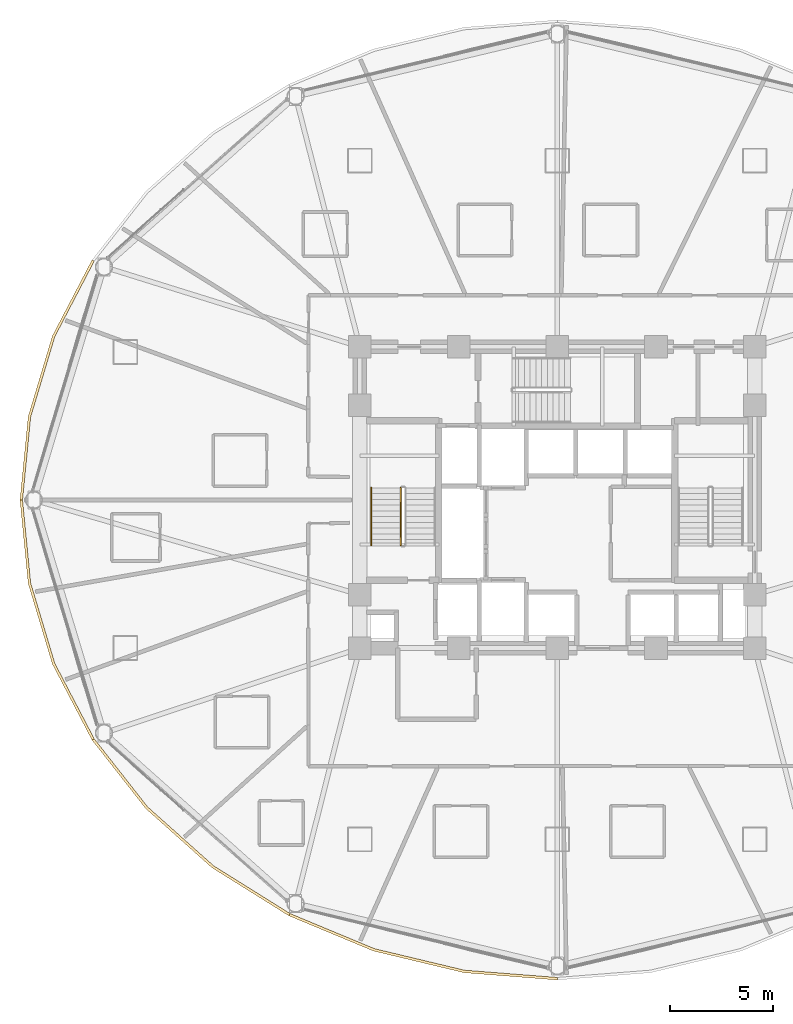
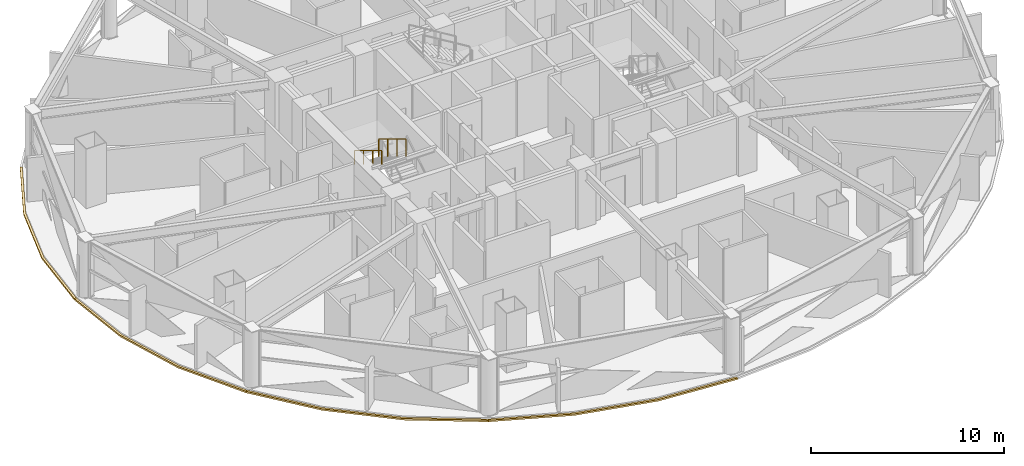
# One storey, part 28 of 31: 4 coverings, 2 railings.
"""IFC4 building model written with IfcOpenShell, lengths in metres."""

from ifc_helpers import new_model, si_unit, direction, frame, origin, origin_2d, place, context, subcontext, project, spatial, polyline, rectangle, outline, extrude, material, layer, layer_set, type_object, element, save


model = new_model("IFC4")

# Units and contexts
model_context = context("Model", 3, precision=1e-05, world=origin(), true_north=direction((0.0, 1.0)))
body_context = subcontext(model_context, "Body", "Model", "MODEL_VIEW")
ifc_project = project(units=[si_unit("LENGTHUNIT", "METRE"), si_unit("AREAUNIT", "SQUARE_METRE"), si_unit("VOLUMEUNIT", "CUBIC_METRE"), si_unit("PLANEANGLEUNIT", "RADIAN"), si_unit("MASSUNIT", "GRAM", prefix="KILO")], contexts=[model_context])

# Site, building, storey
site_placement = place(None, origin())
site = spatial("IfcSite", under=ifc_project, at=site_placement, CompositionType="ELEMENT")
building_placement = place(site_placement, origin())
building = spatial("IfcBuilding", under=site, at=building_placement, Name="Vantalir Tower", CompositionType="ELEMENT")
storey_placement = place(building_placement, frame((0.0, 0.0, 30.75)))
storey = spatial("IfcBuildingStorey", under=building, at=storey_placement, Name="L06", CompositionType="ELEMENT", Elevation=30.75)

# Coverings
ifc_material_1 = material(Name="Anodised champagne aluminium sill fascia", Category="aluminium")
ifc_layer = layer(ifc_material_1, 0.125)
ifc_layer_set = layer_set([ifc_layer], Name="Anodised champagne aluminium sill fascia")
covering_type = type_object("IfcCoveringType", Name="COV-SLAB-FASCIA-125", PredefinedType="CLADDING", material=ifc_layer_set)
covering_1_placement = place(storey_placement, frame((0.0, 0.0, -0.179931640625)))
element("IfcCovering", 1, at=covering_1_placement, inside=storey, type_object=covering_type, Name="L06 Perimeter Slab-Edge Sill Fascia 06", PredefinedType="CLADDING", context=body_context, shape_type="SweptSolid", body=[
    extrude(outline(polyline([(8.875, 36.6689453125), (6.950927734375, 32.98193359375), (5.77197265625, 29.052978515625), (5.375, 25.0), (5.5, 25.0), (5.89501953125, 29.031005859375), (7.068115234375, 32.93994140625), (8.98291015625, 36.60693359375), (8.875, 36.6689453125)])), origin(), (0.0, 0.0, 1.0), 0.10498046875),
])
covering_2_placement = place(storey_placement, frame((0.0, 0.0, -0.179931640625)))
element("IfcCovering", 2, at=covering_2_placement, inside=storey, type_object=covering_type, Name="L06 Perimeter Slab-Edge Sill Fascia 07", PredefinedType="CLADDING", context=body_context, shape_type="SweptSolid", body=[
    extrude(outline(polyline([(5.375, 25.0), (5.77197265625, 20.947021484375), (6.950927734375, 17.01806640625), (8.875, 13.330078125), (8.98291015625, 13.39306640625), (7.068115234375, 17.06005859375), (5.89501953125, 20.968994140625), (5.5, 25.0), (5.375, 25.0)])), origin(), (0.0, 0.0, 1.0), 0.10498046875),
])
covering_3_placement = place(storey_placement, frame((0.0, 0.0, -0.179931640625)))
element("IfcCovering", 3, at=covering_3_placement, inside=storey, type_object=covering_type, Name="L06 Perimeter Slab-Edge Sill Fascia 08", PredefinedType="CLADDING", context=body_context, shape_type="SweptSolid", body=[
    extrude(outline(polyline([(8.875, 13.330078125), (11.487060546875, 9.998046875), (14.70703125, 7.12109375), (18.43701171875, 4.7880859375), (18.5, 4.89599609375), (14.7880859375, 7.217041015625), (11.5830078125, 10.077880859375), (8.98291015625, 13.39306640625), (8.875, 13.330078125)])), origin(), (0.0, 0.0, 1.0), 0.10498046875),
])
covering_4_placement = place(storey_placement, frame((0.0, 0.0, -0.179931640625)))
element("IfcCovering", 4, at=covering_4_placement, inside=storey, type_object=covering_type, Name="L06 Perimeter Slab-Edge Sill Fascia 09", PredefinedType="CLADDING", context=body_context, shape_type="SweptSolid", body=[
    extrude(outline(polyline([(18.43701171875, 4.7880859375), (22.56494140625, 3.069091796875), (26.962890625, 2.01611328125), (31.5, 1.660888671875), (31.5, 1.785888671875), (26.985107421875, 2.138916015625), (22.60693359375, 3.18603515625), (18.5, 4.89599609375), (18.43701171875, 4.7880859375)])), origin(), (0.0, 0.0, 1.0), 0.10498046875),
])

# Railings
ifc_material_2 = material(Name="Anodised aluminium and stainless steel guard", Category="steel")
railing_type_1 = type_object("IfcRailingType", Name="RAL-GUARD-1120", PredefinedType="GUARDRAIL", material=ifc_material_2)
railing_1_placement = place(storey_placement, frame((23.889892578125, 25.590087890625, 2.04541015625)))
element("IfcRailing", 5, at=railing_1_placement, inside=storey, type_object=railing_type_1, Name="L06 ST1 stair guard 3", PredefinedType="GUARDRAIL", context=body_context, shape_type="SweptSolid", body=[
    extrude(rectangle(XDim=0.048095703125, YDim=0.048095703125, at=origin_2d()), frame((0.0, 0.0, 1.09619140625), z_axis=(0.0, -0.854169791009, 0.51999420009), x_axis=(1.0, 0.0, 0.0)), (0.0, 0.0, 1.0), 3.278076171875),
    extrude(rectangle(XDim=0.0419921875, YDim=0.0419921875, at=origin_2d()), origin(), (0.0, 0.0, 1.0), 1.072021484375),
    extrude(rectangle(XDim=0.0419921875, YDim=0.0419921875, at=origin_2d()), frame((0.0, -0.933349609375, 0.568115234375)), (0.0, 0.0, 1.0), 1.072021484375),
    extrude(rectangle(XDim=0.0419921875, YDim=0.0419921875, at=origin_2d()), frame((0.0, -1.86669921875, 1.136474609375)), (0.0, 0.0, 1.0), 1.072021484375),
    extrude(rectangle(XDim=0.0419921875, YDim=0.0419921875, at=origin_2d()), frame((0.0, -2.800048828125, 1.70458984375)), (0.0, 0.0, 1.0), 1.072021484375),
])
ifc_material_3 = material(Name="Brushed stainless steel tubular handrail", Category="steel")
railing_type_2 = type_object("IfcRailingType", Name="RAL-HANDRAIL-900", PredefinedType="HANDRAIL", material=ifc_material_3)
railing_2_placement = place(storey_placement, frame((22.449951171875, 25.590087890625, 2.04541015625)))
element("IfcRailing", 6, at=railing_2_placement, inside=storey, type_object=railing_type_2, Name="L06 ST1 stair handrail 2", PredefinedType="HANDRAIL", context=body_context, shape_type="SweptSolid", body=[
    extrude(rectangle(XDim=0.048095703125, YDim=0.048095703125, at=origin_2d()), frame((0.0, 0.0, 0.8759765625), z_axis=(0.0, -0.854169791009, 0.51999420009), x_axis=(1.0, 0.0, 0.0)), (0.0, 0.0, 1.0), 3.278076171875),
    extrude(rectangle(XDim=0.0419921875, YDim=0.0419921875, at=origin_2d()), origin(), (0.0, 0.0, 1.0), 0.851806640625),
    extrude(rectangle(XDim=0.0419921875, YDim=0.0419921875, at=origin_2d()), frame((0.0, -0.933349609375, 0.568115234375)), (0.0, 0.0, 1.0), 0.851806640625),
    extrude(rectangle(XDim=0.0419921875, YDim=0.0419921875, at=origin_2d()), frame((0.0, -1.86669921875, 1.136474609375)), (0.0, 0.0, 1.0), 0.851806640625),
    extrude(rectangle(XDim=0.0419921875, YDim=0.0419921875, at=origin_2d()), frame((0.0, -2.800048828125, 1.70458984375)), (0.0, 0.0, 1.0), 0.851806640625),
])

save(model, "model.ifc")
